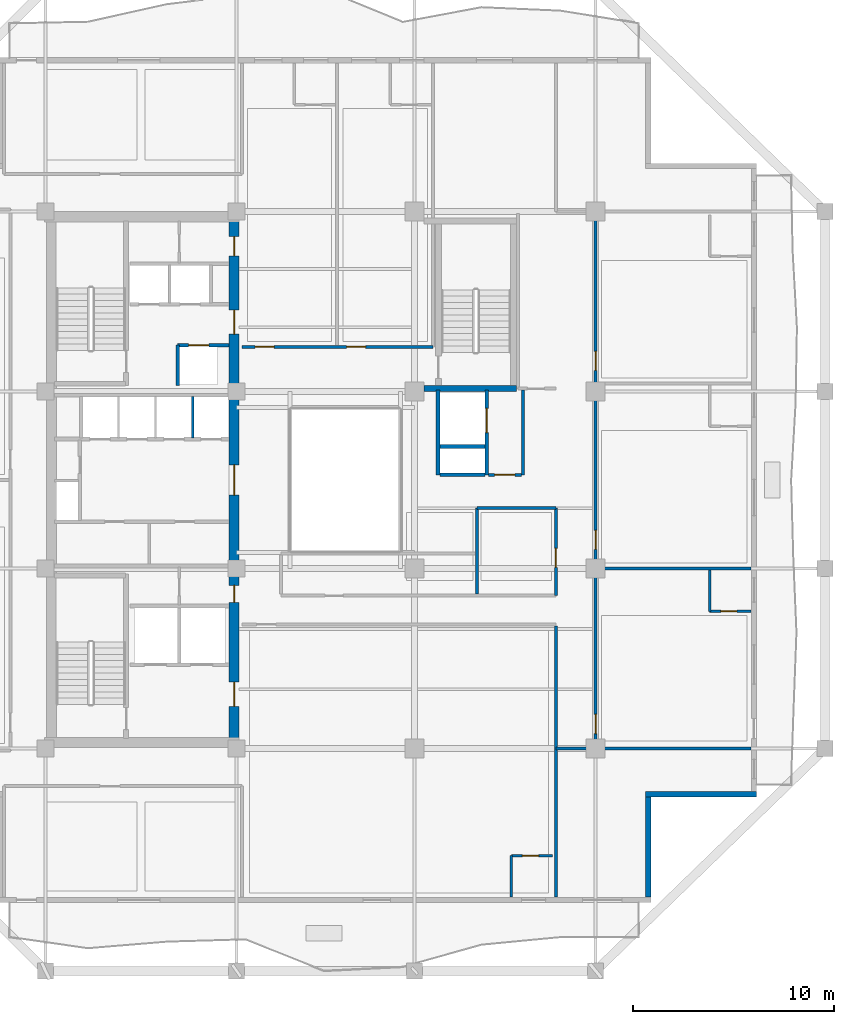
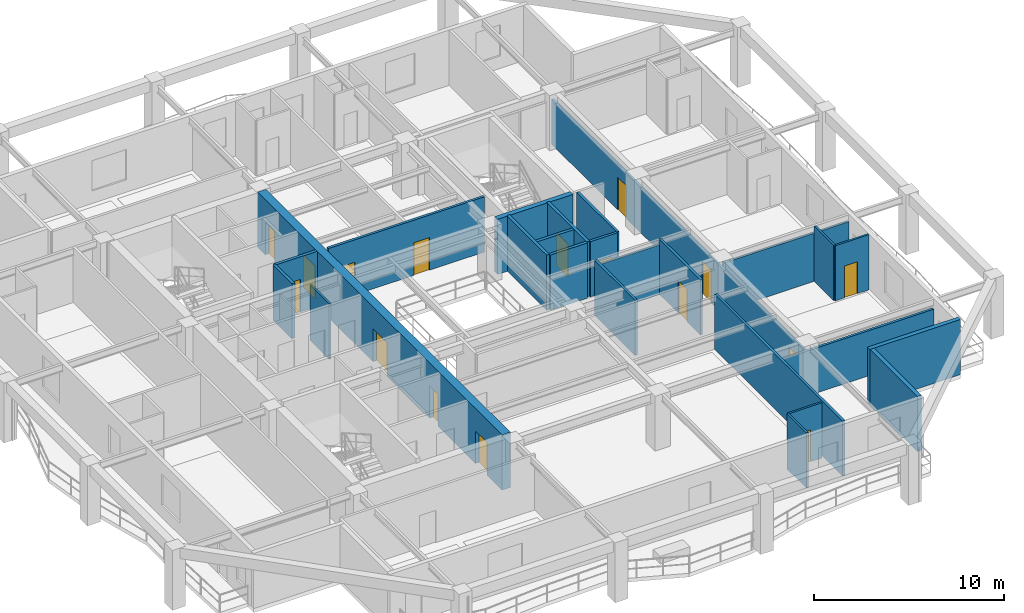
# One storey, part 4 of 12: 25 walls, 16 doors, 16 openings.
"""IFC4 building model written with IfcOpenShell, lengths in metres."""

from ifc_helpers import new_model, si_unit, direction, frame, frame_2d, origin, place, context, subcontext, project, spatial, rectangle, extrude, material, layer, layer_set, type_object, element, fill, save


model = new_model("IFC4")

# Units and contexts
model_context = context("Model", 3, precision=1e-05, world=origin(), true_north=direction((0.0, 1.0)))
body_context = subcontext(model_context, "Body", "Model", "MODEL_VIEW")
ifc_project = project(units=[si_unit("LENGTHUNIT", "METRE"), si_unit("AREAUNIT", "SQUARE_METRE"), si_unit("VOLUMEUNIT", "CUBIC_METRE"), si_unit("PLANEANGLEUNIT", "RADIAN"), si_unit("MASSUNIT", "GRAM", prefix="KILO")], contexts=[model_context])

# Site, building, storey
site_placement = place(None, origin())
site = spatial("IfcSite", under=ifc_project, at=site_placement, CompositionType="ELEMENT")
building_placement = place(site_placement, origin())
building = spatial("IfcBuilding", under=site, at=building_placement, Name="Kundavana Baori Tower", CompositionType="ELEMENT")
storey_placement = place(building_placement, frame((0.0, 0.0, 200.25)))
storey = spatial("IfcBuildingStorey", under=building, at=storey_placement, Name="L49", CompositionType="ELEMENT", Elevation=200.25)

# Wall, openings, doors
ifc_material_1 = material(Name="Concrete C50/60", Category="concrete")
ifc_layer_1 = layer(ifc_material_1, 0.5, Name="WL-CORE-500")
ifc_layer_set_1 = layer_set([ifc_layer_1], Name="Concrete C50/60")
wall_type_1 = type_object("IfcWallType", Name="WL-CORE-500", PredefinedType="SHEAR", material=ifc_layer_set_1)
wall_1_placement = place(storey_placement, frame((24.830078125, 15.739990234375, 0.0), z_axis=(0.0, 0.0, 1.0), x_axis=(0.0, 1.0, 0.0)))
wall_1 = element("IfcWall", 1, at=wall_1_placement, inside=storey, type_object=wall_type_1, Name="L49 Offset Core East Shear Wall", PredefinedType="SHEAR", context=body_context, shape_type="SweptSolid", body=[
    extrude(rectangle(XDim=25.760009765625, YDim=0.5, at=frame_2d((12.8798828125, 0.0))), origin(), (0.0, 0.0, 1.0), 3.550048828125),
])
opening_1_placement = place(wall_1_placement, frame((1.610107421875, 0.0, 0.0)))
opening_1 = element("IfcOpeningElement", 2, at=opening_1_placement, cuts=wall_1, Name="Opening FD-120", PredefinedType="OPENING", context=body_context, shape_type="SweptSolid", body=[
    extrude(rectangle(XDim=1.199951171875, YDim=2.10009765625, at=frame_2d((0.60009765625, 1.050048828125))), frame((0.0, 0.260009765625, 0.0), z_axis=(0.0, -1.0, 0.0), x_axis=(1.0, 0.0, 0.0)), (0.0, 0.0, 1.0), 0.52001953125),
])
opening_2_placement = place(wall_1_placement, frame((6.780029296875, 0.0, 0.0)))
opening_2 = element("IfcOpeningElement", 3, at=opening_2_placement, cuts=wall_1, Name="Opening FD-085", PredefinedType="OPENING", context=body_context, shape_type="SweptSolid", body=[
    extrude(rectangle(XDim=0.85009765625, YDim=2.06005859375, at=frame_2d((0.425048828125, 1.030029296875))), frame((0.0, 0.260009765625, 0.0), z_axis=(0.0, -1.0, 0.0), x_axis=(1.0, 0.0, 0.0)), (0.0, 0.0, 1.0), 0.52001953125),
])
opening_3_placement = place(wall_1_placement, frame((12.110107421875, 0.0, 0.0)))
opening_3 = element("IfcOpeningElement", 4, at=opening_3_placement, cuts=wall_1, Name="Opening FD-150", PredefinedType="OPENING", context=body_context, shape_type="SweptSolid", body=[
    extrude(rectangle(XDim=1.5, YDim=2.1201171875, at=frame_2d((0.75, 1.06005859375))), frame((0.0, 0.260009765625, 0.0), z_axis=(0.0, -1.0, 0.0), x_axis=(1.0, 0.0, 0.0)), (0.0, 0.0, 1.0), 0.52001953125),
])
opening_4_placement = place(wall_1_placement, frame((20.110107421875, 0.0, 0.0)))
opening_4 = element("IfcOpeningElement", 5, at=opening_4_placement, cuts=wall_1, Name="Opening FD-122", PredefinedType="OPENING", context=body_context, shape_type="SweptSolid", body=[
    extrude(rectangle(XDim=1.199951171875, YDim=2.1201171875, at=frame_2d((0.60009765625, 1.06005859375))), frame((0.0, 0.260009765625, 0.0), z_axis=(0.0, -1.0, 0.0), x_axis=(1.0, 0.0, 0.0)), (0.0, 0.0, 1.0), 0.52001953125),
])
opening_5_placement = place(wall_1_placement, frame((24.010009765625, 0.0, 0.0)))
opening_5 = element("IfcOpeningElement", 6, at=opening_5_placement, cuts=wall_1, Name="Opening FD-095", PredefinedType="OPENING", context=body_context, shape_type="SweptSolid", body=[
    extrude(rectangle(XDim=0.949951171875, YDim=2.10009765625, at=frame_2d((0.47509765625, 1.050048828125))), frame((0.0, 0.260009765625, 0.0), z_axis=(0.0, -1.0, 0.0), x_axis=(1.0, 0.0, 0.0)), (0.0, 0.0, 1.0), 0.52001953125),
])
ifc_material_2 = material(Name="Galvanised Steel Fire-Rated Door Leaf", Category="steel")
door_type_1 = type_object("IfcDoorType", Name="DR-FD120-1200", OperationType="NOTDEFINED", PredefinedType="DOOR", material=ifc_material_2)
door_1_placement = place(opening_1_placement, frame((1.199951171875, 0.0, 0.0), z_axis=(0.0, 0.0, 1.0), x_axis=(-1.0, 0.0, 0.0)))
door_1 = element("IfcDoor", 7, at=door_1_placement, inside=storey, type_object=door_type_1, Name="DR-L49-FFLOB-E", OperationType="SINGLE_SWING_RIGHT", OverallHeight=2.10009765625, OverallWidth=1.199951171875, PredefinedType="DOOR", context=body_context, shape_type="SweptSolid", body=[
    extrude(rectangle(XDim=1.199951171875, YDim=2.10009765625, at=frame_2d((0.60009765625, 1.050048828125))), frame((0.0, 0.02490234375, 0.0), z_axis=(0.0, -1.0, 0.0), x_axis=(1.0, 0.0, 0.0)), (0.0, 0.0, 1.0), 0.050048828125),
])
fill(opening_1, door_1)
ifc_material_3 = material(Name="Galvanised Steel Fire-Rated Door Leaf", Category="steel")
door_type_2 = type_object("IfcDoorType", Name="DR-FD60-1200", OperationType="NOTDEFINED", PredefinedType="DOOR", material=ifc_material_3)
door_2_placement = place(opening_4_placement, frame((1.199951171875, 0.0, 0.0), z_axis=(0.0, 0.0, 1.0), x_axis=(-1.0, 0.0, 0.0)))
door_2 = element("IfcDoor", 8, at=door_2_placement, inside=storey, type_object=door_type_2, Name="DR-L49-HRLOB-E", OperationType="SINGLE_SWING_RIGHT", OverallHeight=2.1201171875, OverallWidth=1.199951171875, PredefinedType="DOOR", context=body_context, shape_type="SweptSolid", body=[
    extrude(rectangle(XDim=1.199951171875, YDim=2.1201171875, at=frame_2d((0.60009765625, 1.06005859375))), frame((0.0, 0.02490234375, 0.0), z_axis=(0.0, -1.0, 0.0), x_axis=(1.0, 0.0, 0.0)), (0.0, 0.0, 1.0), 0.050048828125),
])
fill(opening_4, door_2)
ifc_material_4 = material(Name="Galvanised Steel Fire-Rated Door Leaf", Category="steel")
door_type_3 = type_object("IfcDoorType", Name="DR-FD60-1500", OperationType="NOTDEFINED", PredefinedType="DOOR", material=ifc_material_4)
door_3_placement = place(opening_3_placement, frame((1.5, 0.0, 0.0), z_axis=(0.0, 0.0, 1.0), x_axis=(-1.0, 0.0, 0.0)))
door_3 = element("IfcDoor", 9, at=door_3_placement, inside=storey, type_object=door_type_3, Name="DR-L49-LIFTHALL-E", OperationType="SINGLE_SWING_LEFT", OverallHeight=2.1201171875, OverallWidth=1.5, PredefinedType="DOOR", context=body_context, shape_type="SweptSolid", body=[
    extrude(rectangle(XDim=1.5, YDim=2.1201171875, at=frame_2d((0.75, 1.06005859375))), frame((0.0, 0.02490234375, 0.0), z_axis=(0.0, -1.0, 0.0), x_axis=(1.0, 0.0, 0.0)), (0.0, 0.0, 1.0), 0.050048828125),
])
fill(opening_3, door_3)
ifc_material_5 = material(Name="Galvanised Steel Fire-Rated Door Leaf", Category="steel")
door_type_4 = type_object("IfcDoorType", Name="DR-FD60-850", OperationType="NOTDEFINED", PredefinedType="DOOR", material=ifc_material_5)
door_4_placement = place(opening_2_placement, frame((0.85009765625, 0.0, 0.0), z_axis=(0.0, 0.0, 1.0), x_axis=(-1.0, 0.0, 0.0)))
door_4 = element("IfcDoor", 10, at=door_4_placement, inside=storey, type_object=door_type_4, Name="DR-L49-CSMK2", OperationType="SINGLE_SWING_RIGHT", OverallHeight=2.06005859375, OverallWidth=0.85009765625, PredefinedType="DOOR", context=body_context, shape_type="SweptSolid", body=[
    extrude(rectangle(XDim=0.85009765625, YDim=2.06005859375, at=frame_2d((0.425048828125, 1.030029296875))), frame((0.0, 0.02490234375, 0.0), z_axis=(0.0, -1.0, 0.0), x_axis=(1.0, 0.0, 0.0)), (0.0, 0.0, 1.0), 0.050048828125),
])
fill(opening_2, door_4)
ifc_material_6 = material(Name="Engineered Teak Fire-Rated Timber Door Leaf", Category="wood")
door_type_5 = type_object("IfcDoorType", Name="DR-FD60-950", OperationType="NOTDEFINED", PredefinedType="DOOR", material=ifc_material_6)
door_5_placement = place(opening_5_placement, frame((0.949951171875, 0.0, 0.0), z_axis=(0.0, 0.0, 1.0), x_axis=(-1.0, 0.0, 0.0)))
door_5 = element("IfcDoor", 11, at=door_5_placement, inside=storey, type_object=door_type_5, Name="DR-L49-CSRV2", OperationType="SINGLE_SWING_RIGHT", OverallHeight=2.10009765625, OverallWidth=0.949951171875, PredefinedType="DOOR", context=body_context, shape_type="SweptSolid", body=[
    extrude(rectangle(XDim=0.949951171875, YDim=2.10009765625, at=frame_2d((0.47509765625, 1.050048828125))), frame((0.0, 0.02490234375, 0.0), z_axis=(0.0, -1.0, 0.0), x_axis=(1.0, 0.0, 0.0)), (0.0, 0.0, 1.0), 0.050048828125),
])
fill(opening_5, door_5)

# Walls
ifc_material_7 = material(Name="Kiln-Fired Terracotta Brick-Slip Masonry on Concrete C40/50", Category="masonry")
ifc_layer_2 = layer(ifc_material_7, 0.260009765625, Name="WL-EXT-BRK-260")
ifc_layer_set_2 = layer_set([ifc_layer_2], Name="Kiln-Fired Terracotta Brick-Slip Masonry on Concrete C40/50")
wall_type_2 = type_object("IfcWallType", Name="WL-EXT-BRK-260", PredefinedType="SOLIDWALL", material=ifc_layer_set_2)
wall_2_placement = place(storey_placement, frame((45.419921875, 7.860107421875, 0.0), z_axis=(0.0, 0.0, 1.0), x_axis=(0.0, 1.0, 0.0)))
element("IfcWall", 12, at=wall_2_placement, inside=storey, type_object=wall_type_2, Name="L49 Exterior Insulated Facade Wall 02", PredefinedType="SOLIDWALL", context=body_context, shape_type="SweptSolid", body=[
    extrude(rectangle(XDim=4.989990234375, YDim=0.260009765625, at=frame_2d((2.4951171875, 0.0))), origin(), (0.0, 0.0, 1.0), 3.550048828125),
])
wall_3_placement = place(storey_placement, frame((45.2900390625, 12.97998046875, 0.0), z_axis=(0.0, 0.0, 1.0), x_axis=(1.0, 0.0, 0.0)))
element("IfcWall", 13, at=wall_3_placement, inside=storey, type_object=wall_type_2, Name="L49 Exterior Insulated Facade Wall 03", PredefinedType="SOLIDWALL", context=body_context, shape_type="SweptSolid", body=[
    extrude(rectangle(XDim=5.510009765625, YDim=0.260009765625, at=frame_2d((2.7548828125, 0.0))), origin(), (0.0, 0.0, 1.0), 3.550048828125),
])
ifc_material_8 = material(Name="Acoustic Gypsum Plasterboard on Galvanised Steel Studs", Category="steel")
ifc_layer_3 = layer(ifc_material_8, 0.1201171875, Name="WL-PART-120")
ifc_layer_set_3 = layer_set([ifc_layer_3], Name="Acoustic Gypsum Plasterboard on Galvanised Steel Studs")
wall_type_3 = type_object("IfcWallType", Name="WL-PART-120", PredefinedType="PARTITIONING", material=ifc_layer_set_3)
wall_4_placement = place(storey_placement, frame((22.760009765625, 30.699951171875, 0.0), z_axis=(0.0, 0.0, 1.0), x_axis=(0.0, 1.0, 0.0)))
element("IfcWall", 14, at=wall_4_placement, inside=storey, type_object=wall_type_3, Name="WL-L49-LPMID-D3", PredefinedType="PARTITIONING", context=body_context, shape_type="SweptSolid", body=[
    extrude(rectangle(XDim=2.050048828125, YDim=0.1201171875, at=frame_2d((1.02490234375, 0.0))), origin(), (0.0, 0.0, 1.0), 3.550048828125),
])
ifc_material_9 = material(Name="Fire-Rated Gypsum Drywall on Galvanised Steel Studs", Category="steel")
ifc_layer_4 = layer(ifc_material_9, 0.14990234375, Name="WL-PART-150")
ifc_layer_set_4 = layer_set([ifc_layer_4], Name="Fire-Rated Gypsum Drywall on Galvanised Steel Studs")
wall_type_4 = type_object("IfcWallType", Name="WL-PART-150", PredefinedType="PARTITIONING", material=ifc_layer_set_4)
wall_5_placement = place(storey_placement, frame((39.199951171875, 28.860107421875, 0.0), z_axis=(0.0, 0.0, 1.0), x_axis=(0.0, 1.0, 0.0)))
element("IfcWall", 15, at=wall_5_placement, inside=storey, type_object=wall_type_4, Name="WL-L49-SVLOB-E", PredefinedType="PARTITIONING", context=body_context, shape_type="SweptSolid", body=[
    extrude(rectangle(XDim=4.219970703125, YDim=0.14990234375, at=frame_2d((2.10986328125, 0.0))), origin(), (0.0, 0.0, 1.0), 3.550048828125),
])

# Wall, opening, door
wall_6_placement = place(storey_placement, frame((37.47998046875, 28.860107421875, 0.0), z_axis=(0.0, 0.0, 1.0), x_axis=(1.0, 0.0, 0.0)))
wall_6 = element("IfcWall", 16, at=wall_6_placement, inside=storey, type_object=wall_type_4, Name="WL-L49-SVLOB-S", PredefinedType="PARTITIONING", context=body_context, shape_type="SweptSolid", body=[
    extrude(rectangle(XDim=1.64013671875, YDim=0.14990234375, at=frame_2d((0.820068359375, 0.0))), origin(), (0.0, 0.0, 1.0), 3.550048828125),
])
opening_6_placement = place(wall_6_placement, frame((0.300048828125, 0.0, 0.0)))
opening_6 = element("IfcOpeningElement", 17, at=opening_6_placement, cuts=wall_6, Name="Opening FD-100", PredefinedType="OPENING", context=body_context, shape_type="SweptSolid", body=[
    extrude(rectangle(XDim=1.0, YDim=2.10009765625, at=frame_2d((0.5, 1.050048828125))), frame((0.0, 0.0849609375, 0.0), z_axis=(0.0, -1.0, 0.0), x_axis=(1.0, 0.0, 0.0)), (0.0, 0.0, 1.0), 0.169921875),
])
ifc_material_10 = material(Name="Engineered Teak Fire-Rated Timber Door Leaf", Category="wood")
door_type_6 = type_object("IfcDoorType", Name="DR-FD60-1000", OperationType="NOTDEFINED", PredefinedType="DOOR", material=ifc_material_10)
door_6_placement = place(opening_6_placement, origin())
door_6 = element("IfcDoor", 18, at=door_6_placement, inside=storey, type_object=door_type_6, Name="DR-L49-SVLOB-OUT", OperationType="SINGLE_SWING_LEFT", OverallHeight=2.10009765625, OverallWidth=1.0, PredefinedType="DOOR", context=body_context, shape_type="SweptSolid", body=[
    extrude(rectangle(XDim=1.0, YDim=2.10009765625, at=frame_2d((0.5, 1.050048828125))), frame((0.0, 0.02490234375, 0.0), z_axis=(0.0, -1.0, 0.0), x_axis=(1.0, 0.0, 0.0)), (0.0, 0.0, 1.0), 0.050048828125),
])
fill(opening_6, door_6)

# Wall, openings, doors
wall_7_placement = place(storey_placement, frame((25.219970703125, 35.219970703125, 0.0), z_axis=(0.0, 0.0, 1.0), x_axis=(1.0, 0.0, 0.0)))
wall_7 = element("IfcWall", 19, at=wall_7_placement, inside=storey, type_object=wall_type_4, Name="WL-L49-HN", PredefinedType="PARTITIONING", context=body_context, shape_type="SweptSolid", body=[
    extrude(rectangle(XDim=9.5, YDim=0.14990234375, at=frame_2d((4.75, 0.0))), origin(), (0.0, 0.0, 1.0), 3.550048828125),
])
opening_7_placement = place(wall_7_placement, frame((0.64990234375, 0.0, 0.0)))
opening_7 = element("IfcOpeningElement", 20, at=opening_7_placement, cuts=wall_7, Name="Opening FD-095", PredefinedType="OPENING", context=body_context, shape_type="SweptSolid", body=[
    extrude(rectangle(XDim=0.949951171875, YDim=2.10009765625, at=frame_2d((0.47509765625, 1.050048828125))), frame((0.0, 0.0849609375, 0.0), z_axis=(0.0, -1.0, 0.0), x_axis=(1.0, 0.0, 0.0)), (0.0, 0.0, 1.0), 0.169921875),
])
opening_8_placement = place(wall_7_placement, frame((5.199951171875, 0.0, 0.0)))
opening_8 = element("IfcOpeningElement", 21, at=opening_8_placement, cuts=wall_7, Name="Opening FD-095", PredefinedType="OPENING", context=body_context, shape_type="SweptSolid", body=[
    extrude(rectangle(XDim=0.949951171875, YDim=2.10009765625, at=frame_2d((0.47509765625, 1.050048828125))), frame((0.0, 0.0849609375, 0.0), z_axis=(0.0, -1.0, 0.0), x_axis=(1.0, 0.0, 0.0)), (0.0, 0.0, 1.0), 0.169921875),
])
door_7_placement = place(opening_7_placement, origin())
door_7 = element("IfcDoor", 22, at=door_7_placement, inside=storey, type_object=door_type_5, Name="DR-L49-HK-N1-ENT", OperationType="SINGLE_SWING_LEFT", OverallHeight=2.10009765625, OverallWidth=0.949951171875, PredefinedType="DOOR", context=body_context, shape_type="SweptSolid", body=[
    extrude(rectangle(XDim=0.949951171875, YDim=2.10009765625, at=frame_2d((0.47509765625, 1.050048828125))), frame((0.0, 0.02490234375, 0.0), z_axis=(0.0, -1.0, 0.0), x_axis=(1.0, 0.0, 0.0)), (0.0, 0.0, 1.0), 0.050048828125),
])
fill(opening_7, door_7)
door_8_placement = place(opening_8_placement, origin())
door_8 = element("IfcDoor", 23, at=door_8_placement, inside=storey, type_object=door_type_5, Name="DR-L49-HK-N2-ENT", OperationType="SINGLE_SWING_RIGHT", OverallHeight=2.10009765625, OverallWidth=0.949951171875, PredefinedType="DOOR", context=body_context, shape_type="SweptSolid", body=[
    extrude(rectangle(XDim=0.949951171875, YDim=2.10009765625, at=frame_2d((0.47509765625, 1.050048828125))), frame((0.0, 0.02490234375, 0.0), z_axis=(0.0, -1.0, 0.0), x_axis=(1.0, 0.0, 0.0)), (0.0, 0.0, 1.0), 0.050048828125),
])
fill(opening_8, door_8)

wall_8_placement = place(storey_placement, frame((42.800048828125, 15.25, 0.0), z_axis=(0.0, 0.0, 1.0), x_axis=(0.0, 1.0, 0.0)))
wall_8 = element("IfcWall", 24, at=wall_8_placement, inside=storey, type_object=wall_type_4, Name="WL-L49-HE", PredefinedType="PARTITIONING", context=body_context, shape_type="SweptSolid", body=[
    extrude(rectangle(XDim=26.699951171875, YDim=0.14990234375, at=frame_2d((13.35009765625, 0.0))), origin(), (0.0, 0.0, 1.0), 2.89990234375),
])
opening_9_placement = place(wall_8_placement, frame((0.75, 0.0, 0.0)))
opening_9 = element("IfcOpeningElement", 25, at=opening_9_placement, cuts=wall_8, Name="Opening FD-095", PredefinedType="OPENING", context=body_context, shape_type="SweptSolid", body=[
    extrude(rectangle(XDim=0.949951171875, YDim=2.10009765625, at=frame_2d((0.47509765625, 1.050048828125))), frame((0.0, 0.0849609375, 0.0), z_axis=(0.0, -1.0, 0.0), x_axis=(1.0, 0.0, 0.0)), (0.0, 0.0, 1.0), 0.169921875),
])
opening_10_placement = place(wall_8_placement, frame((9.89990234375, 0.0, 0.0)))
opening_10 = element("IfcOpeningElement", 26, at=opening_10_placement, cuts=wall_8, Name="Opening FD-095", PredefinedType="OPENING", context=body_context, shape_type="SweptSolid", body=[
    extrude(rectangle(XDim=0.949951171875, YDim=2.10009765625, at=frame_2d((0.47509765625, 1.050048828125))), frame((0.0, 0.0849609375, 0.0), z_axis=(0.0, -1.0, 0.0), x_axis=(1.0, 0.0, 0.0)), (0.0, 0.0, 1.0), 0.169921875),
])
opening_11_placement = place(wall_8_placement, frame((18.800048828125, 0.0, 0.0)))
opening_11 = element("IfcOpeningElement", 27, at=opening_11_placement, cuts=wall_8, Name="Opening FD-095", PredefinedType="OPENING", context=body_context, shape_type="SweptSolid", body=[
    extrude(rectangle(XDim=0.949951171875, YDim=2.10009765625, at=frame_2d((0.47509765625, 1.050048828125))), frame((0.0, 0.0849609375, 0.0), z_axis=(0.0, -1.0, 0.0), x_axis=(1.0, 0.0, 0.0)), (0.0, 0.0, 1.0), 0.169921875),
])
door_9_placement = place(opening_9_placement, origin())
door_9 = element("IfcDoor", 28, at=door_9_placement, inside=storey, type_object=door_type_5, Name="DR-L49-HK-E1-ENT", OperationType="SINGLE_SWING_LEFT", OverallHeight=2.10009765625, OverallWidth=0.949951171875, PredefinedType="DOOR", context=body_context, shape_type="SweptSolid", body=[
    extrude(rectangle(XDim=0.949951171875, YDim=2.10009765625, at=frame_2d((0.47509765625, 1.050048828125))), frame((0.0, 0.02490234375, 0.0), z_axis=(0.0, -1.0, 0.0), x_axis=(1.0, 0.0, 0.0)), (0.0, 0.0, 1.0), 0.050048828125),
])
fill(opening_9, door_9)
door_10_placement = place(opening_10_placement, origin())
door_10 = element("IfcDoor", 29, at=door_10_placement, inside=storey, type_object=door_type_5, Name="DR-L49-HK-E2-ENT", OperationType="SINGLE_SWING_LEFT", OverallHeight=2.10009765625, OverallWidth=0.949951171875, PredefinedType="DOOR", context=body_context, shape_type="SweptSolid", body=[
    extrude(rectangle(XDim=0.949951171875, YDim=2.10009765625, at=frame_2d((0.47509765625, 1.050048828125))), frame((0.0, 0.02490234375, 0.0), z_axis=(0.0, -1.0, 0.0), x_axis=(1.0, 0.0, 0.0)), (0.0, 0.0, 1.0), 0.050048828125),
])
fill(opening_10, door_10)
door_11_placement = place(opening_11_placement, origin())
door_11 = element("IfcDoor", 30, at=door_11_placement, inside=storey, type_object=door_type_5, Name="DR-L49-HK-E3-ENT", OperationType="SINGLE_SWING_LEFT", OverallHeight=2.10009765625, OverallWidth=0.949951171875, PredefinedType="DOOR", context=body_context, shape_type="SweptSolid", body=[
    extrude(rectangle(XDim=0.949951171875, YDim=2.10009765625, at=frame_2d((0.47509765625, 1.050048828125))), frame((0.0, 0.02490234375, 0.0), z_axis=(0.0, -1.0, 0.0), x_axis=(1.0, 0.0, 0.0)), (0.0, 0.0, 1.0), 0.050048828125),
])
fill(opening_11, door_11)

# Wall
wall_9_placement = place(storey_placement, frame((40.820068359375, 15.25, 0.0), z_axis=(0.0, 0.0, 1.0), x_axis=(1.0, 0.0, 0.0)))
element("IfcWall", 31, at=wall_9_placement, inside=storey, type_object=wall_type_4, Name="WL-L49-HES", PredefinedType="PARTITIONING", context=body_context, shape_type="SweptSolid", body=[
    extrude(rectangle(XDim=9.699951171875, YDim=0.14990234375, at=frame_2d((4.85009765625, 0.0))), origin(), (0.0, 0.0, 1.0), 2.89990234375),
])

# Wall, opening, door
wall_10_placement = place(storey_placement, frame((40.820068359375, 22.860107421875, 0.0), z_axis=(0.0, 0.0, 1.0), x_axis=(0.0, 1.0, 0.0)))
wall_10 = element("IfcWall", 32, at=wall_10_placement, inside=storey, type_object=wall_type_4, Name="WL-L49-HEW", PredefinedType="PARTITIONING", context=body_context, shape_type="SweptSolid", body=[
    extrude(rectangle(XDim=4.35986328125, YDim=0.14990234375, at=frame_2d((2.179931640625, 0.0))), origin(), (0.0, 0.0, 1.0), 3.550048828125),
])
opening_12_placement = place(wall_10_placement, frame((1.39990234375, 0.0, 0.0)))
opening_12 = element("IfcOpeningElement", 33, at=opening_12_placement, cuts=wall_10, Name="Opening FD-095", PredefinedType="OPENING", context=body_context, shape_type="SweptSolid", body=[
    extrude(rectangle(XDim=0.949951171875, YDim=2.10009765625, at=frame_2d((0.47509765625, 1.050048828125))), frame((0.0, 0.0849609375, 0.0), z_axis=(0.0, -1.0, 0.0), x_axis=(1.0, 0.0, 0.0)), (0.0, 0.0, 1.0), 0.169921875),
])
door_12_placement = place(opening_12_placement, frame((0.949951171875, 0.0, 0.0), z_axis=(0.0, 0.0, 1.0), x_axis=(-1.0, 0.0, 0.0)))
door_12 = element("IfcDoor", 34, at=door_12_placement, inside=storey, type_object=door_type_5, Name="DR-L49-HSK", OperationType="SINGLE_SWING_RIGHT", OverallHeight=2.10009765625, OverallWidth=0.949951171875, PredefinedType="DOOR", context=body_context, shape_type="SweptSolid", body=[
    extrude(rectangle(XDim=0.949951171875, YDim=2.10009765625, at=frame_2d((0.47509765625, 1.050048828125))), frame((0.0, 0.02490234375, 0.0), z_axis=(0.0, -1.0, 0.0), x_axis=(1.0, 0.0, 0.0)), (0.0, 0.0, 1.0), 0.050048828125),
])
fill(opening_12, door_12)

# Walls
wall_11_placement = place(storey_placement, frame((36.89990234375, 27.219970703125, 0.0), z_axis=(0.0, 0.0, 1.0), x_axis=(1.0, 0.0, 0.0)))
element("IfcWall", 35, at=wall_11_placement, inside=storey, type_object=wall_type_4, Name="WL-L49-HKN", PredefinedType="PARTITIONING", context=body_context, shape_type="SweptSolid", body=[
    extrude(rectangle(XDim=3.920166015625, YDim=0.14990234375, at=frame_2d((1.9599609375, 0.0))), origin(), (0.0, 0.0, 1.0), 3.199951171875),
])
wall_12_placement = place(storey_placement, frame((36.89990234375, 22.93994140625, 0.0), z_axis=(0.0, 0.0, 1.0), x_axis=(0.0, 1.0, 0.0)))
element("IfcWall", 36, at=wall_12_placement, inside=storey, type_object=wall_type_4, Name="WL-L49-HKD", PredefinedType="PARTITIONING", context=body_context, shape_type="SweptSolid", body=[
    extrude(rectangle(XDim=4.280029296875, YDim=0.14990234375, at=frame_2d((2.14013671875, 0.0))), origin(), (0.0, 0.0, 1.0), 3.550048828125),
])
wall_13_placement = place(storey_placement, frame((40.820068359375, 7.8798828125, 0.0), z_axis=(0.0, 0.0, 1.0), x_axis=(0.0, 1.0, 0.0)))
element("IfcWall", 37, at=wall_13_placement, inside=storey, type_object=wall_type_4, Name="WL-L49-HSEND", PredefinedType="PARTITIONING", context=body_context, shape_type="SweptSolid", body=[
    extrude(rectangle(XDim=13.460205078125, YDim=0.14990234375, at=frame_2d((6.72998046875, 0.0))), origin(), (0.0, 0.0, 1.0), 3.550048828125),
])
wall_14_placement = place(storey_placement, frame((42.8798828125, 24.199951171875, 0.0), z_axis=(0.0, 0.0, 1.0), x_axis=(1.0, 0.0, 0.0)))
element("IfcWall", 38, at=wall_14_placement, inside=storey, type_object=wall_type_4, Name="WL-L49-HED1", PredefinedType="PARTITIONING", context=body_context, shape_type="SweptSolid", body=[
    extrude(rectangle(XDim=7.64013671875, YDim=0.14990234375, at=frame_2d((3.820068359375, 0.0))), origin(), (0.0, 0.0, 1.0), 3.10009765625),
])

# Wall, opening, door
ifc_material_11 = material(Name="Autoclaved Aerated Concrete Blockwork Masonry", Category="masonry")
ifc_layer_5 = layer(ifc_material_11, 0.179931640625, Name="WL-SHAFT-180")
ifc_layer_set_5 = layer_set([ifc_layer_5], Name="Autoclaved Aerated Concrete Blockwork Masonry")
wall_type_5 = type_object("IfcWallType", Name="WL-SHAFT-180", PredefinedType="SOLIDWALL", material=ifc_layer_set_5)
wall_15_placement = place(storey_placement, frame((22.02001953125, 35.31005859375, 0.0), z_axis=(0.0, 0.0, 1.0), x_axis=(1.0, 0.0, 0.0)))
wall_15 = element("IfcWall", 39, at=wall_15_placement, inside=storey, type_object=wall_type_5, Name="WL-L49-LP11-N", PredefinedType="SOLIDWALL", context=body_context, shape_type="SweptSolid", body=[
    extrude(rectangle(XDim=2.56005859375, YDim=0.179931640625, at=frame_2d((1.280029296875, 0.0))), origin(), (0.0, 0.0, 1.0), 3.550048828125),
])
opening_13_placement = place(wall_15_placement, frame((0.550048828125, 0.0, 0.0)))
opening_13 = element("IfcOpeningElement", 40, at=opening_13_placement, cuts=wall_15, Name="Opening LD-100", PredefinedType="OPENING", context=body_context, shape_type="SweptSolid", body=[
    extrude(rectangle(XDim=1.0, YDim=2.10009765625, at=frame_2d((0.5, 1.050048828125))), frame((0.0, 0.10009765625, 0.0), z_axis=(0.0, -1.0, 0.0), x_axis=(1.0, 0.0, 0.0)), (0.0, 0.0, 1.0), 0.199951171875),
])
ifc_material_12 = material(Name="Galvanised Steel Fire-Rated Door Leaf", Category="steel")
door_type_7 = type_object("IfcDoorType", Name="DR-SLIDE-LD1000", OperationType="NOTDEFINED", PredefinedType="DOOR", material=ifc_material_12)
door_13_placement = place(opening_13_placement, origin())
door_13 = element("IfcDoor", 41, at=door_13_placement, inside=storey, type_object=door_type_7, Name="DR-L49-LD-LP11", OperationType="DOUBLE_DOOR_SLIDING", OverallHeight=2.10009765625, OverallWidth=1.0, PredefinedType="DOOR", context=body_context, shape_type="SweptSolid", body=[
    extrude(rectangle(XDim=1.0, YDim=2.10009765625, at=frame_2d((0.5, 1.050048828125))), frame((0.0, 0.02490234375, 0.0), z_axis=(0.0, -1.0, 0.0), x_axis=(1.0, 0.0, 0.0)), (0.0, 0.0, 1.0), 0.050048828125),
])
fill(opening_13, door_13)

# Walls
wall_16_placement = place(storey_placement, frame((22.02001953125, 33.300048828125, 0.0), z_axis=(0.0, 0.0, 1.0), x_axis=(0.0, 1.0, 0.0)))
element("IfcWall", 42, at=wall_16_placement, inside=storey, type_object=wall_type_5, Name="WL-L49-LP11-W", PredefinedType="SOLIDWALL", context=body_context, shape_type="SweptSolid", body=[
    extrude(rectangle(XDim=2.010009765625, YDim=0.179931640625, at=frame_2d((1.0048828125, 0.0))), origin(), (0.0, 0.0, 1.0), 3.550048828125),
])
wall_17_placement = place(storey_placement, frame((34.9599609375, 28.860107421875, 0.0), z_axis=(0.0, 0.0, 1.0), x_axis=(0.0, 1.0, 0.0)))
element("IfcWall", 43, at=wall_17_placement, inside=storey, type_object=wall_type_5, Name="WL-L49-SVL-W", PredefinedType="SOLIDWALL", context=body_context, shape_type="SweptSolid", body=[
    extrude(rectangle(XDim=4.219970703125, YDim=0.179931640625, at=frame_2d((2.10986328125, 0.0))), origin(), (0.0, 0.0, 1.0), 3.550048828125),
])

# Wall, opening, door
wall_18_placement = place(storey_placement, frame((37.389892578125, 28.860107421875, 0.0), z_axis=(0.0, 0.0, 1.0), x_axis=(0.0, 1.0, 0.0)))
wall_18 = element("IfcWall", 44, at=wall_18_placement, inside=storey, type_object=wall_type_5, Name="WL-L49-SVL-E", PredefinedType="SOLIDWALL", context=body_context, shape_type="SweptSolid", body=[
    extrude(rectangle(XDim=4.219970703125, YDim=0.179931640625, at=frame_2d((2.10986328125, 0.0))), origin(), (0.0, 0.0, 1.0), 3.550048828125),
])
opening_14_placement = place(wall_18_placement, frame((2.10009765625, 0.0, 0.0)))
opening_14 = element("IfcOpeningElement", 45, at=opening_14_placement, cuts=wall_18, Name="Opening LD-120", PredefinedType="OPENING", context=body_context, shape_type="SweptSolid", body=[
    extrude(rectangle(XDim=1.199951171875, YDim=2.1201171875, at=frame_2d((0.60009765625, 1.06005859375))), frame((0.0, 0.10009765625, 0.0), z_axis=(0.0, -1.0, 0.0), x_axis=(1.0, 0.0, 0.0)), (0.0, 0.0, 1.0), 0.199951171875),
])
ifc_material_13 = material(Name="Galvanised Steel Fire-Rated Door Leaf", Category="steel")
door_type_8 = type_object("IfcDoorType", Name="DR-SLIDE-LD1200", OperationType="NOTDEFINED", PredefinedType="DOOR", material=ifc_material_13)
door_14_placement = place(opening_14_placement, frame((1.199951171875, 0.0, 0.0), z_axis=(0.0, 0.0, 1.0), x_axis=(-1.0, 0.0, 0.0)))
door_14 = element("IfcDoor", 46, at=door_14_placement, inside=storey, type_object=door_type_8, Name="DR-L49-LD-SVL1", OperationType="DOUBLE_DOOR_SLIDING", OverallHeight=2.1201171875, OverallWidth=1.199951171875, PredefinedType="DOOR", context=body_context, shape_type="SweptSolid", body=[
    extrude(rectangle(XDim=1.199951171875, YDim=2.1201171875, at=frame_2d((0.60009765625, 1.06005859375))), frame((0.0, 0.02490234375, 0.0), z_axis=(0.0, -1.0, 0.0), x_axis=(1.0, 0.0, 0.0)), (0.0, 0.0, 1.0), 0.050048828125),
])
fill(opening_14, door_14)

# Walls
for number, where, z_axis, x_axis, name in (
    (47, (35.050048828125, 28.860107421875, 0.0), (0.0, 0.0, 1.0), (1.0, 0.0, 0.0), "WL-L49-SVL-S"),
    (48, (35.050048828125, 30.27001953125, 0.0), (0.0, 0.0, 1.0), (1.0, 0.0, 0.0), "WL-L49-SVL-M"),
):
    element("IfcWall", number, at=place(storey_placement, frame(where, z_axis=z_axis, x_axis=x_axis)), inside=storey, type_object=wall_type_5, Name=name, PredefinedType="SOLIDWALL", context=body_context, shape_type="SweptSolid", body=[
        extrude(rectangle(XDim=2.25, YDim=0.179931640625, at=frame_2d((1.125, 0.0))), origin(), (0.0, 0.0, 1.0), 3.550048828125),
    ])
ifc_material_14 = material(Name="Concrete C50/60", Category="concrete")
ifc_layer_6 = layer(ifc_material_14, 0.300048828125, Name="WL-ST3-300")
ifc_layer_set_6 = layer_set([ifc_layer_6], Name="Concrete C50/60")
wall_type_6 = type_object("IfcWallType", Name="WL-ST3-300", PredefinedType="SHEAR", material=ifc_layer_set_6)
wall_19_placement = place(storey_placement, frame((34.27490234375, 33.159912109375, 0.0), z_axis=(0.0, 0.0, 1.0), x_axis=(1.0, 0.0, 0.0)))
element("IfcWall", 49, at=wall_19_placement, inside=storey, type_object=wall_type_6, Name="L49 Stair ST3 South Shear Wall", PredefinedType="SHEAR", context=body_context, shape_type="SweptSolid", body=[
    extrude(rectangle(XDim=4.59521484375, YDim=0.300048828125, at=frame_2d((2.297607421875, 0.0))), origin(), (0.0, 0.0, 1.0), 3.550048828125),
])
ifc_material_15 = material(Name="Autoclaved Aerated Concrete Blockwork Masonry", Category="masonry")
ifc_layer_7 = layer(ifc_material_15, 0.125, Name="WL-WET-120")
ifc_layer_set_7 = layer_set([ifc_layer_7], Name="Autoclaved Aerated Concrete Blockwork Masonry")
wall_type_7 = type_object("IfcWallType", Name="WL-WET-120", PredefinedType="PLUMBINGWALL", material=ifc_layer_set_7)
wall_20_placement = place(storey_placement, frame((38.610107421875, 7.8798828125, 0.0), z_axis=(0.0, 0.0, 1.0), x_axis=(0.0, 1.0, 0.0)))
element("IfcWall", 50, at=wall_20_placement, inside=storey, type_object=wall_type_7, Name="WL-L49-HK-S1-BW", PredefinedType="PLUMBINGWALL", context=body_context, shape_type="SweptSolid", body=[
    extrude(rectangle(XDim=2.050048828125, YDim=0.125, at=frame_2d((1.02490234375, 0.0))), origin(), (0.0, 0.0, 1.0), 3.550048828125),
])

# Wall, opening, door
wall_21_placement = place(storey_placement, frame((38.610107421875, 9.929931640625, 0.0), z_axis=(0.0, 0.0, 1.0), x_axis=(1.0, 0.0, 0.0)))
wall_21 = element("IfcWall", 51, at=wall_21_placement, inside=storey, type_object=wall_type_7, Name="WL-L49-HK-S1-BN", PredefinedType="PLUMBINGWALL", context=body_context, shape_type="SweptSolid", body=[
    extrude(rectangle(XDim=2.0498046875, YDim=0.125, at=frame_2d((1.02490234375, 0.0))), origin(), (0.0, 0.0, 1.0), 3.550048828125),
])
opening_15_placement = place(wall_21_placement, frame((0.550048828125, 0.0, 0.0)))
opening_15 = element("IfcOpeningElement", 52, at=opening_15_placement, cuts=wall_21, Name="Opening WD-080", PredefinedType="OPENING", context=body_context, shape_type="SweptSolid", body=[
    extrude(rectangle(XDim=0.800048828125, YDim=2.050048828125, at=frame_2d((0.39990234375, 1.02490234375))), frame((0.0, 0.072509765625, 0.0), z_axis=(0.0, -1.0, 0.0), x_axis=(1.0, 0.0, 0.0)), (0.0, 0.0, 1.0), 0.14501953125),
])
ifc_material_16 = material(Name="Engineered Teak Solid-Core Timber Veneer", Category="wood")
door_type_9 = type_object("IfcDoorType", Name="DR-WET-800", OperationType="NOTDEFINED", PredefinedType="DOOR", material=ifc_material_16)
door_15_placement = place(opening_15_placement, origin())
door_15 = element("IfcDoor", 53, at=door_15_placement, inside=storey, type_object=door_type_9, Name="DR-L49-HK-S1-ENS", OperationType="SINGLE_SWING_LEFT", OverallHeight=2.050048828125, OverallWidth=0.800048828125, PredefinedType="DOOR", context=body_context, shape_type="SweptSolid", body=[
    extrude(rectangle(XDim=0.800048828125, YDim=2.050048828125, at=frame_2d((0.39990234375, 1.02490234375))), frame((0.0, 0.02490234375, 0.0), z_axis=(0.0, -1.0, 0.0), x_axis=(1.0, 0.0, 0.0)), (0.0, 0.0, 1.0), 0.050048828125),
])
fill(opening_15, door_15)

# Wall
wall_22_placement = place(storey_placement, frame((48.469970703125, 22.070068359375, 0.0), z_axis=(0.0, 0.0, 1.0), x_axis=(0.0, 1.0, 0.0)))
element("IfcWall", 54, at=wall_22_placement, inside=storey, type_object=wall_type_7, Name="WL-L49-HK-E1-BW", PredefinedType="PLUMBINGWALL", context=body_context, shape_type="SweptSolid", body=[
    extrude(rectangle(XDim=2.050048828125, YDim=0.125, at=frame_2d((1.02490234375, 0.0))), origin(), (0.0, 0.0, 1.0), 3.550048828125),
])

# Wall, opening, door
wall_23_placement = place(storey_placement, frame((48.469970703125, 22.070068359375, 0.0), z_axis=(0.0, 0.0, 1.0), x_axis=(1.0, 0.0, 0.0)))
wall_23 = element("IfcWall", 55, at=wall_23_placement, inside=storey, type_object=wall_type_7, Name="WL-L49-HK-E1-BS", PredefinedType="PLUMBINGWALL", context=body_context, shape_type="SweptSolid", body=[
    extrude(rectangle(XDim=2.050048828125, YDim=0.125, at=frame_2d((1.02490234375, 0.0))), origin(), (0.0, 0.0, 1.0), 3.550048828125),
])
opening_16_placement = place(wall_23_placement, frame((0.550048828125, 0.0, 0.0)))
opening_16 = element("IfcOpeningElement", 56, at=opening_16_placement, cuts=wall_23, Name="Opening WD-080", PredefinedType="OPENING", context=body_context, shape_type="SweptSolid", body=[
    extrude(rectangle(XDim=0.800048828125, YDim=2.050048828125, at=frame_2d((0.39990234375, 1.02490234375))), frame((0.0, 0.072509765625, 0.0), z_axis=(0.0, -1.0, 0.0), x_axis=(1.0, 0.0, 0.0)), (0.0, 0.0, 1.0), 0.14501953125),
])
door_16_placement = place(opening_16_placement, frame((0.800048828125, 0.0, 0.0), z_axis=(0.0, 0.0, 1.0), x_axis=(-1.0, 0.0, 0.0)))
door_16 = element("IfcDoor", 57, at=door_16_placement, inside=storey, type_object=door_type_9, Name="DR-L49-HK-E1-ENS", OperationType="SINGLE_SWING_LEFT", OverallHeight=2.050048828125, OverallWidth=0.800048828125, PredefinedType="DOOR", context=body_context, shape_type="SweptSolid", body=[
    extrude(rectangle(XDim=0.800048828125, YDim=2.050048828125, at=frame_2d((0.39990234375, 1.02490234375))), frame((0.0, 0.02490234375, 0.0), z_axis=(0.0, -1.0, 0.0), x_axis=(1.0, 0.0, 0.0)), (0.0, 0.0, 1.0), 0.050048828125),
])
fill(opening_16, door_16)

save(model, "model.ifc")
